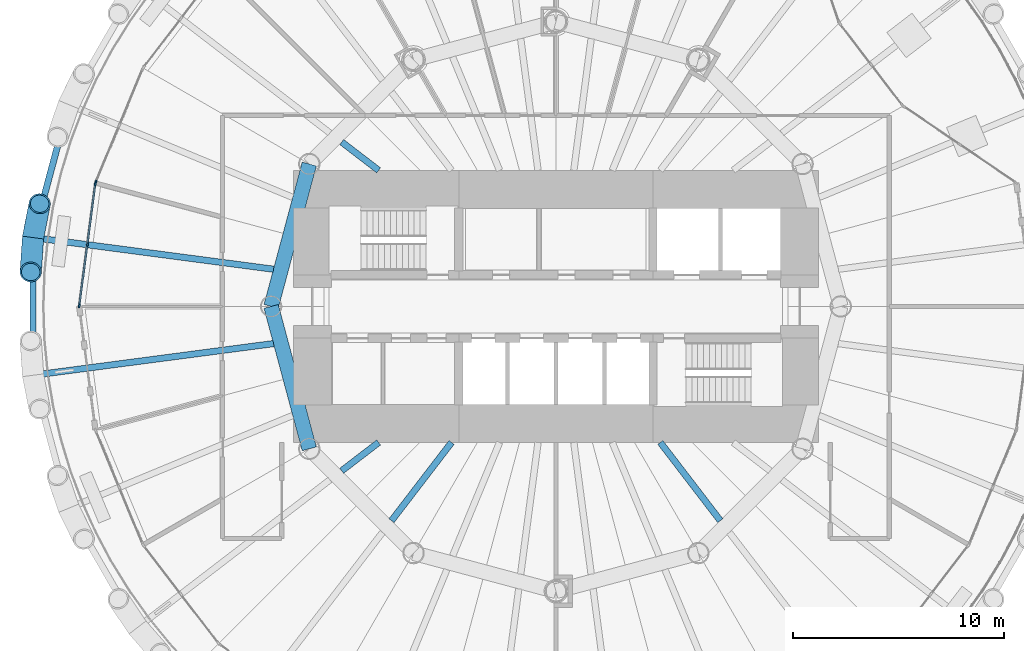
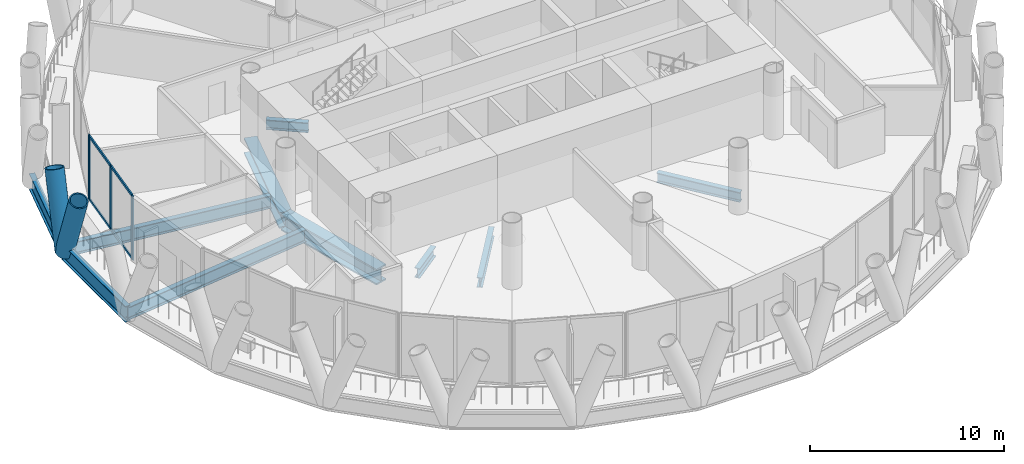
# One storey, part 3 of 16: 10 beams, 10 members, 2 elements without a shape of their own.
"""IFC4 building model written with IfcOpenShell, lengths in metres."""

from ifc_helpers import new_model, si_unit, direction, frame, origin, origin_2d, place, context, subcontext, project, spatial, rectangle, hollow_circle, i_section, extrude, material, material_profile, profile_set, type_object, element, aggregate, save


model = new_model("IFC4")

# Units and contexts
model_context = context("Model", 3, precision=1e-05, world=origin(), true_north=direction((0.0, 1.0)))
body_context = subcontext(model_context, "Body", "Model", "MODEL_VIEW")
ifc_project = project(units=[si_unit("LENGTHUNIT", "METRE"), si_unit("AREAUNIT", "SQUARE_METRE"), si_unit("VOLUMEUNIT", "CUBIC_METRE"), si_unit("PLANEANGLEUNIT", "RADIAN"), si_unit("MASSUNIT", "GRAM", prefix="KILO")], contexts=[model_context])

# Site, building, storey
site_placement = place(None, origin())
site = spatial("IfcSite", under=ifc_project, at=site_placement, CompositionType="ELEMENT")
building_placement = place(site_placement, origin())
building = spatial("IfcBuilding", under=site, at=building_placement, Name="Qaws Media Tower", CompositionType="ELEMENT")
storey_placement = place(building_placement, frame((0.0, 0.0, 135.199951171875)))
storey = spatial("IfcBuildingStorey", under=building, at=storey_placement, Name="L30", CompositionType="ELEMENT", Elevation=135.199951171875)

# Curtain wall, member
ifc_material_1 = material(Name="Aluminium and clear glass", Category="aluminium")
curtain_wall_type = type_object("IfcCurtainWallType", Name="Unitised curtain wall CW-B", PredefinedType="NOTDEFINED", material=ifc_material_1)
curtain_wall_1_placement = place(storey_placement, origin())
curtain_wall_1 = element("IfcCurtainWall", 1, at=curtain_wall_1_placement, inside=storey, type_object=curtain_wall_type, Name="CWB curtain wall L30-11", PredefinedType="NOTDEFINED")
ifc_material_2 = material(Name="Aluminium mullion", Category="aluminium")
ifc_material_profile_1 = material_profile(ifc_material_2, rectangle(XDim=0.080078125, YDim=0.199951171875, at=origin_2d()), Name="80x200")
ifc_profile_set_1 = profile_set([ifc_material_profile_1], Name="Aluminium mullion")
member_type_1 = type_object("IfcMemberType", Name="Curtain wall mullion 80x200", PredefinedType="MULLION", material=ifc_profile_set_1)
member_1_placement = place(storey_placement, frame((38.185302734375, 55.88623046875, 0.0), z_axis=(0.0, 0.0, 1.0), x_axis=(0.923879515867, -0.382683472548, 0.0)))
member_1 = element("IfcMember", 2, at=member_1_placement, type_object=member_type_1, Name="CWB mullion 3", PredefinedType="MULLION", context=body_context, shape_type="SweptSolid", body=[
    extrude(rectangle(XDim=0.080078125, YDim=0.199951171875, at=origin_2d()), origin(), (0.0, 0.0, 1.0), 4.0400390625),
])
aggregate(curtain_wall_1, [member_1])

# Curtain wall, members
curtain_wall_2_placement = place(storey_placement, origin())
curtain_wall_2 = element("IfcCurtainWall", 3, at=curtain_wall_2_placement, inside=storey, type_object=curtain_wall_type, Name="CWB curtain wall L30-12", PredefinedType="NOTDEFINED")
member_2_placement = place(storey_placement, frame((38.164794921875, 55.8095703125, 0.0), z_axis=(0.0, 0.0, 1.0), x_axis=(0.991444867311, -0.130526147126, 0.0)))
member_2 = element("IfcMember", 4, at=member_2_placement, type_object=member_type_1, Name="CWB mullion 1", PredefinedType="MULLION", context=body_context, shape_type="SweptSolid", body=[
    extrude(rectangle(XDim=0.080078125, YDim=0.199951171875, at=origin_2d()), origin(), (0.0, 0.0, 1.0), 4.0400390625),
])
member_3_placement = place(storey_placement, frame((37.78515625, 52.924560546875, 0.0), z_axis=(0.0, 0.0, 1.0), x_axis=(0.991444867311, -0.130526147126, 0.0)))
member_3 = element("IfcMember", 5, at=member_3_placement, type_object=member_type_1, Name="CWB mullion 2", PredefinedType="MULLION", context=body_context, shape_type="SweptSolid", body=[
    extrude(rectangle(XDim=0.080078125, YDim=0.199951171875, at=origin_2d()), origin(), (0.0, 0.0, 1.0), 4.0400390625),
])
member_4_placement = place(storey_placement, frame((37.4052734375, 50.03955078125, 0.0), z_axis=(0.0, 0.0, 1.0), x_axis=(0.991444867311, -0.130526147126, 0.0)))
member_4 = element("IfcMember", 6, at=member_4_placement, type_object=member_type_1, Name="CWB mullion 3", PredefinedType="MULLION", context=body_context, shape_type="SweptSolid", body=[
    extrude(rectangle(XDim=0.080078125, YDim=0.199951171875, at=origin_2d()), origin(), (0.0, 0.0, 1.0), 4.0400390625),
])
ifc_material_3 = material(Name="Aluminium transom", Category="aluminium")
ifc_material_profile_2 = material_profile(ifc_material_3, rectangle(XDim=0.080078125, YDim=0.159912109375, at=origin_2d()), Name="80x160")
ifc_profile_set_2 = profile_set([ifc_material_profile_2], Name="Aluminium transom")
member_type_2 = type_object("IfcMemberType", Name="Curtain wall transom 80x160", PredefinedType="USERDEFINED", material=ifc_profile_set_2)
member_5_placement = place(storey_placement, frame((38.15966796875, 55.77001953125, 0.0400390625), z_axis=(-0.130530389761, -0.991444308748, 0.0), x_axis=(0.991444308748, -0.130530389761, 0.0)))
member_5 = element("IfcMember", 7, at=member_5_placement, type_object=member_type_2, Name="CWB transom 1.1", ObjectType="TRANSOM", PredefinedType="USERDEFINED", context=body_context, shape_type="SweptSolid", body=[
    extrude(rectangle(XDim=0.080078125, YDim=0.159912109375, at=origin_2d()), origin(), (0.0, 0.0, 1.0), 2.829833984375),
])
member_6_placement = place(storey_placement, frame((38.15966796875, 55.77001953125, 4.0), z_axis=(-0.130530389761, -0.991444308748, 0.0), x_axis=(0.991444308748, -0.130530389761, 0.0)))
member_6 = element("IfcMember", 8, at=member_6_placement, type_object=member_type_2, Name="CWB transom 1.2", ObjectType="TRANSOM", PredefinedType="USERDEFINED", context=body_context, shape_type="SweptSolid", body=[
    extrude(rectangle(XDim=0.080078125, YDim=0.159912109375, at=origin_2d()), origin(), (0.0, 0.0, 1.0), 2.829833984375),
])
member_7_placement = place(storey_placement, frame((37.77978515625, 52.885009765625, 0.0400390625), z_axis=(-0.130530389761, -0.991444308748, 0.0), x_axis=(0.991444308748, -0.130530389761, 0.0)))
member_7 = element("IfcMember", 9, at=member_7_placement, type_object=member_type_2, Name="CWB transom 2.1", ObjectType="TRANSOM", PredefinedType="USERDEFINED", context=body_context, shape_type="SweptSolid", body=[
    extrude(rectangle(XDim=0.080078125, YDim=0.159912109375, at=origin_2d()), origin(), (0.0, 0.0, 1.0), 2.829833984375),
])
member_8_placement = place(storey_placement, frame((37.77978515625, 52.885009765625, 4.0), z_axis=(-0.130530389761, -0.991444308748, 0.0), x_axis=(0.991444308748, -0.130530389761, 0.0)))
member_8 = element("IfcMember", 10, at=member_8_placement, type_object=member_type_2, Name="CWB transom 2.2", ObjectType="TRANSOM", PredefinedType="USERDEFINED", context=body_context, shape_type="SweptSolid", body=[
    extrude(rectangle(XDim=0.080078125, YDim=0.159912109375, at=origin_2d()), origin(), (0.0, 0.0, 1.0), 2.829833984375),
])
aggregate(curtain_wall_2, [member_2, member_3, member_4, member_5, member_6, member_7, member_8])

# Members
ifc_material_4 = material(Name="Steel S460", Category="steel")
ifc_material_profile_3 = material_profile(ifc_material_4, hollow_circle(Radius=0.508056640625, WallThickness=0.070068359375, at=origin_2d()), Name="CHS 1016x70")
ifc_profile_set_3 = profile_set([ifc_material_profile_3], Name="Steel S460")
member_type_3 = type_object("IfcMemberType", Name="Diagrid member CHS 1016x70", PredefinedType="USERDEFINED", material=ifc_profile_set_3)
member_9_placement = place(storey_placement, frame((35.2138671875, 53.26318359375, -0.6640625), z_axis=(-0.024483238453, -0.361940264038, 0.931879722015), x_axis=(0.997719938165, -0.067490184384, 0.0)))
element("IfcMember", 11, at=member_9_placement, inside=storey, type_object=member_type_3, Name="DG3 diagrid L30 A12", ObjectType="DIAGRID", PredefinedType="USERDEFINED", context=body_context, shape_type="SweptSolid", body=[
    extrude(hollow_circle(Radius=0.508056640625, WallThickness=0.070068359375, at=origin_2d()), origin(), (0.0, 0.0, 1.0), 4.50732421875),
])
member_10_placement = place(storey_placement, frame((35.2138671875, 53.26318359375, -0.6640625), z_axis=(0.069983690756, 0.355930984487, 0.931888092697), x_axis=(-0.981212996823, 0.192927589696, 0.0)))
element("IfcMember", 12, at=member_10_placement, inside=storey, type_object=member_type_3, Name="DG3 diagrid L30 B12", ObjectType="DIAGRID", PredefinedType="USERDEFINED", context=body_context, shape_type="SweptSolid", body=[
    extrude(hollow_circle(Radius=0.508056640625, WallThickness=0.070068359375, at=origin_2d()), origin(), (0.0, 0.0, 1.0), 4.507080078125),
])

# Beams
ifc_material_5 = material(Name="Steel S460", Category="steel")
ifc_material_profile_4 = material_profile(ifc_material_5, i_section(OverallWidth=0.302001953125, OverallDepth=1.008056640625, WebThickness=0.02099609375, FlangeThickness=0.0400390625, FilletRadius=0.030029296875, at=origin_2d()), Name="HE 1000 M")
ifc_profile_set_4 = profile_set([ifc_material_profile_4], Name="Steel S460")
beam_type_1 = type_object("IfcBeamType", Name="Edge ring beam HE 1000 M", PredefinedType="BEAM", material=ifc_profile_set_4)
for number, where, z_axis, x_axis, name in (
    (13, (36.903076171875, 59.567138671875, -0.6640625), (-0.258828953999, -0.965923171154, 0.0), (0.965923171154, -0.258828953999, 0.0), "RB3 edge ring beam L30-11"),
    (14, (35.2138671875, 53.26318359375, -0.6640625), (0.0, -1.0, 0.0), (1.0, 0.0, 0.0), "RB3 edge ring beam L30-12"),
):
    element("IfcBeam", number, at=place(storey_placement, frame(where, z_axis=z_axis, x_axis=x_axis)), inside=storey, type_object=beam_type_1, Name=name, PredefinedType="BEAM", context=body_context, shape_type="SweptSolid", body=[
        extrude(i_section(OverallWidth=0.302001953125, OverallDepth=1.008056640625, WebThickness=0.02099609375, FlangeThickness=0.0400390625, FilletRadius=0.030029296875, at=origin_2d()), origin(), (0.0, 0.0, 1.0), 6.5263671875),
    ])
ifc_material_6 = material(Name="Steel S460", Category="steel")
ifc_material_profile_5 = material_profile(ifc_material_6, i_section(OverallWidth=0.699951171875, OverallDepth=1.0, WebThickness=0.034912109375, FlangeThickness=0.090087890625, at=origin_2d()), Name="PG 1000x700")
ifc_profile_set_5 = profile_set([ifc_material_profile_5], Name="Steel S460")
beam_type_2 = type_object("IfcBeamType", Name="Inner ring girder PG 1000x700", PredefinedType="BEAM", material=ifc_profile_set_5)
for number, where, z_axis, x_axis, name in (
    (15, (48.30859375, 56.75, -0.659912109375), (-0.258810593767, -0.965928090778, 0.0), (0.965928090778, -0.258810593767, 0.0), "B3 inner ring beam L30 I06-I07"),
    (16, (46.5, 50.0, -0.659912109375), (0.258810593767, -0.965928090778, 0.0), (0.965928090778, 0.258810593767, 0.0), "B3 inner ring beam L30 I07-I08"),
):
    element("IfcBeam", number, at=place(storey_placement, frame(where, z_axis=z_axis, x_axis=x_axis)), inside=storey, type_object=beam_type_2, Name=name, PredefinedType="BEAM", context=body_context, shape_type="SweptSolid", body=[
        extrude(i_section(OverallWidth=0.699951171875, OverallDepth=1.0, WebThickness=0.034912109375, FlangeThickness=0.090087890625, at=origin_2d()), origin(), (0.0, 0.0, 1.0), 6.988037109375),
    ])
ifc_material_7 = material(Name="Steel S355", Category="steel")
ifc_material_profile_6 = material_profile(ifc_material_7, i_section(OverallWidth=0.304931640625, OverallDepth=0.6201171875, WebThickness=0.02099609375, FlangeThickness=0.0400390625, FilletRadius=0.027099609375, at=origin_2d()), Name="HE 600 M")
ifc_profile_set_6 = profile_set([ifc_material_profile_6], Name="Steel S355")
beam_type_3 = type_object("IfcBeamType", Name="Radial beam HE 600 M, core side", PredefinedType="BEAM", material=ifc_profile_set_6)
for number, where, z_axis, x_axis, name in (
    (17, (51.59423828125, 56.449951171875, -0.469970703125), (-0.793372769304, 0.608736107789, 0.0), (-0.608736107789, -0.793372769304, 0.0), "B2 radial beam L30 10"),
    (18, (51.59423828125, 43.550048828125, -0.469970703125), (-0.793372769304, -0.608736107789, 0.0), (0.608736107789, -0.793372769304, 0.0), "B2 radial beam L30 15"),
):
    element("IfcBeam", number, at=place(storey_placement, frame(where, z_axis=z_axis, x_axis=x_axis)), inside=storey, type_object=beam_type_3, Name=name, PredefinedType="BEAM", context=body_context, shape_type="SweptSolid", body=[
        extrude(i_section(OverallWidth=0.304931640625, OverallDepth=0.6201171875, WebThickness=0.02099609375, FlangeThickness=0.0400390625, FilletRadius=0.027099609375, at=origin_2d()), origin(), (0.0, 0.0, 1.0), 2.204345703125),
    ])
for number, where, z_axis, x_axis, name in (
    (19, (55.05078125, 43.550048828125, -0.469970703125), (-0.608747616782, -0.793363938594, 0.0), (0.793363938594, -0.608747616782, 0.0), "B2 radial beam L30 16"),
    (20, (64.94921875, 43.550048828125, -0.469970703125), (0.608747616782, -0.793363938594, 0.0), (0.793363938594, 0.608747616782, 0.0), "B2 radial beam L30 21"),
):
    element("IfcBeam", number, at=place(storey_placement, frame(where, z_axis=z_axis, x_axis=x_axis)), inside=storey, type_object=beam_type_3, Name=name, PredefinedType="BEAM", context=body_context, shape_type="SweptSolid", body=[
        extrude(i_section(OverallWidth=0.304931640625, OverallDepth=0.6201171875, WebThickness=0.02099609375, FlangeThickness=0.0400390625, FilletRadius=0.027099609375, at=origin_2d()), origin(), (0.0, 0.0, 1.0), 4.66943359375),
    ])
ifc_material_8 = material(Name="Steel S355", Category="steel")
ifc_material_profile_7 = material_profile(ifc_material_8, i_section(OverallWidth=0.300048828125, OverallDepth=0.800048828125, WebThickness=0.017578125, FlangeThickness=0.032958984375, FilletRadius=0.030029296875, at=origin_2d()), Name="HE 800 B")
ifc_profile_set_7 = profile_set([ifc_material_profile_7], Name="Steel S355")
beam_type_4 = type_object("IfcBeamType", Name="Radial beam HE 800 B", PredefinedType="BEAM", material=ifc_profile_set_7)
for number, where, z_axis, x_axis, name in (
    (21, (46.610107421875, 51.762939453125, -0.56005859375), (-0.991445979844, 0.130517696312, 0.0), (-0.130517696312, -0.991445979844, 0.0), "B1 radial beam L30 12"),
    (22, (46.610107421875, 48.237060546875, -0.56005859375), (-0.991445979844, -0.130517696312, 0.0), (0.130517696312, -0.991445979844, 0.0), "B1 radial beam L30 13"),
):
    element("IfcBeam", number, at=place(storey_placement, frame(where, z_axis=z_axis, x_axis=x_axis)), inside=storey, type_object=beam_type_4, Name=name, PredefinedType="BEAM", context=body_context, shape_type="SweptSolid", body=[
        extrude(i_section(OverallWidth=0.300048828125, OverallDepth=0.800048828125, WebThickness=0.017578125, FlangeThickness=0.032958984375, FilletRadius=0.030029296875, at=origin_2d()), origin(), (0.0, 0.0, 1.0), 11.49462890625),
    ])

save(model, "model.ifc")
